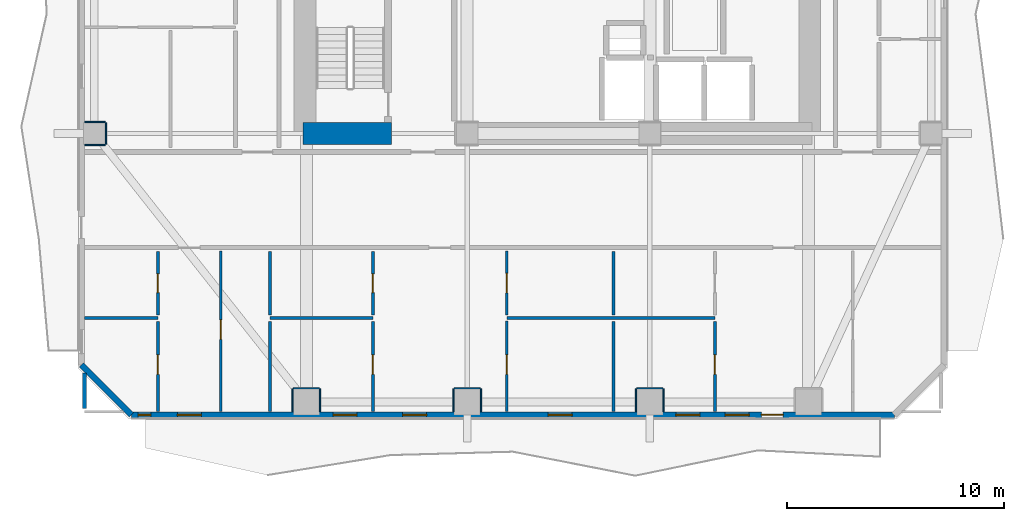
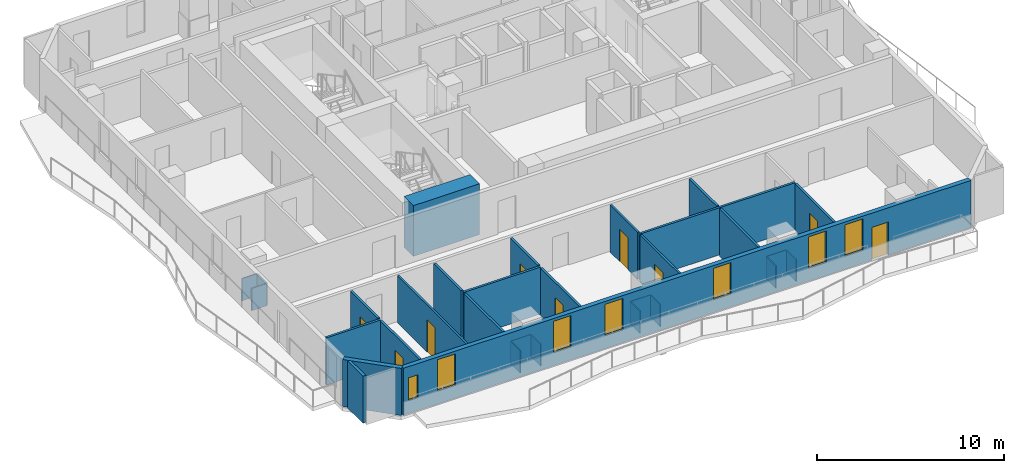
# One storey, part 2 of 11: 31 walls, 9 doors, 7 windows, 16 openings.
"""IFC4 building model written with IfcOpenShell, lengths in metres."""

from ifc_helpers import new_model, si_unit, direction, frame, frame_2d, origin, place, context, subcontext, project, spatial, rectangle, extrude, material, layer, layer_set, type_object, element, fill, save


model = new_model("IFC4")

# Units and contexts
model_context = context("Model", 3, precision=1e-05, world=origin(), true_north=direction((0.0, 1.0)))
body_context = subcontext(model_context, "Body", "Model", "MODEL_VIEW")
ifc_project = project(units=[si_unit("LENGTHUNIT", "METRE"), si_unit("AREAUNIT", "SQUARE_METRE"), si_unit("VOLUMEUNIT", "CUBIC_METRE"), si_unit("PLANEANGLEUNIT", "RADIAN"), si_unit("MASSUNIT", "GRAM", prefix="KILO")], contexts=[model_context])

# Site, building, storey
site_placement = place(None, origin())
site = spatial("IfcSite", under=ifc_project, at=site_placement, CompositionType="ELEMENT")
building_placement = place(site_placement, origin())
building = spatial("IfcBuilding", under=site, at=building_placement, Name="Solanera Arch Residences", CompositionType="ELEMENT")
storey_placement = place(building_placement, frame((0.0, 0.0, 116.0400390625)))
storey = spatial("IfcBuildingStorey", under=building, at=storey_placement, Name="L33", CompositionType="ELEMENT", Elevation=116.0400390625)

# Walls
ifc_material_1 = material(Name="Fire-Rated Gypsum Stud Partition", Category="gypsum")
ifc_layer_1 = layer(ifc_material_1, 0.06005859375)
ifc_layer_set_1 = layer_set([ifc_layer_1], Name="Fire-Rated Gypsum Stud Partition")
wall_type_1 = type_object("IfcWallType", Name="Column Acoustic Furring Wall 60", PredefinedType="PARTITIONING", material=ifc_layer_set_1)
wall_1_placement = place(storey_placement, frame((12.800048828125, 10.281982421875, 0.0), z_axis=(0.0, 0.0, 1.0), x_axis=(1.0, 0.0, 0.0)))
element("IfcWall", 1, at=wall_1_placement, inside=storey, type_object=wall_type_1, Name="L33 Column Furring 9N", PredefinedType="PARTITIONING", context=body_context, shape_type="SweptSolid", body=[
    extrude(rectangle(XDim=1.199951171875, YDim=0.06005859375, at=frame_2d((0.60009765625, 0.0))), origin(), (0.0, 0.0, 1.0), 1.449951171875),
])
for number, where, z_axis, x_axis, name in (
    (2, (12.76806640625, 9.2099609375, 0.0), (0.0, 0.0, 1.0), (0.0, 1.0, 0.0), "L33 Column Furring 9W"),
    (3, (14.031982421875, 9.2099609375, 0.0), (0.0, 0.0, 1.0), (0.0, 1.0, 0.0), "L33 Column Furring 9E"),
):
    element("IfcWall", number, at=place(storey_placement, frame(where, z_axis=z_axis, x_axis=x_axis)), inside=storey, type_object=wall_type_1, Name=name, PredefinedType="PARTITIONING", context=body_context, shape_type="SweptSolid", body=[
        extrude(rectangle(XDim=1.0400390625, YDim=0.06005859375, at=frame_2d((0.52001953125, 0.0))), origin(), (0.0, 0.0, 1.0), 1.449951171875),
    ])
wall_2_placement = place(storey_placement, frame((20.199951171875, 10.281982421875, 0.0), z_axis=(0.0, 0.0, 1.0), x_axis=(1.0, 0.0, 0.0)))
element("IfcWall", 4, at=wall_2_placement, inside=storey, type_object=wall_type_1, Name="L33 Column Furring 11N", PredefinedType="PARTITIONING", context=body_context, shape_type="SweptSolid", body=[
    extrude(rectangle(XDim=1.199951171875, YDim=0.06005859375, at=frame_2d((0.60009765625, 0.0))), origin(), (0.0, 0.0, 1.0), 1.449951171875),
])
for number, where, z_axis, x_axis, name in (
    (5, (20.16796875, 9.2099609375, 0.0), (0.0, 0.0, 1.0), (0.0, 1.0, 0.0), "L33 Column Furring 11W"),
    (6, (21.431884765625, 9.2099609375, 0.0), (0.0, 0.0, 1.0), (0.0, 1.0, 0.0), "L33 Column Furring 11E"),
):
    element("IfcWall", number, at=place(storey_placement, frame(where, z_axis=z_axis, x_axis=x_axis)), inside=storey, type_object=wall_type_1, Name=name, PredefinedType="PARTITIONING", context=body_context, shape_type="SweptSolid", body=[
        extrude(rectangle(XDim=1.0400390625, YDim=0.06005859375, at=frame_2d((0.52001953125, 0.0))), origin(), (0.0, 0.0, 1.0), 1.449951171875),
    ])
wall_3_placement = place(storey_placement, frame((28.60009765625, 10.281982421875, 0.0), z_axis=(0.0, 0.0, 1.0), x_axis=(1.0, 0.0, 0.0)))
element("IfcWall", 7, at=wall_3_placement, inside=storey, type_object=wall_type_1, Name="L33 Column Furring 13N", PredefinedType="PARTITIONING", context=body_context, shape_type="SweptSolid", body=[
    extrude(rectangle(XDim=1.199951171875, YDim=0.06005859375, at=frame_2d((0.60009765625, 0.0))), origin(), (0.0, 0.0, 1.0), 1.449951171875),
])
for number, where, z_axis, x_axis, name in (
    (8, (28.568115234375, 9.2099609375, 0.0), (0.0, 0.0, 1.0), (0.0, 1.0, 0.0), "L33 Column Furring 13W"),
    (9, (29.83203125, 9.2099609375, 0.0), (0.0, 0.0, 1.0), (0.0, 1.0, 0.0), "L33 Column Furring 13E"),
):
    element("IfcWall", number, at=place(storey_placement, frame(where, z_axis=z_axis, x_axis=x_axis)), inside=storey, type_object=wall_type_1, Name=name, PredefinedType="PARTITIONING", context=body_context, shape_type="SweptSolid", body=[
        extrude(rectangle(XDim=1.0400390625, YDim=0.06005859375, at=frame_2d((0.52001953125, 0.0))), origin(), (0.0, 0.0, 1.0), 1.449951171875),
    ])
for number, where, z_axis, x_axis, name in (
    (10, (3.2099609375, 21.468017578125, 0.0), (0.0, 0.0, 1.0), (1.0, 0.0, 0.0), "L33 Column Furring 17S"),
    (11, (3.2099609375, 22.531982421875, 0.0), (0.0, 0.0, 1.0), (1.0, 0.0, 0.0), "L33 Column Furring 17N"),
):
    element("IfcWall", number, at=place(storey_placement, frame(where, z_axis=z_axis, x_axis=x_axis)), inside=storey, type_object=wall_type_1, Name=name, PredefinedType="PARTITIONING", context=body_context, shape_type="SweptSolid", body=[
        extrude(rectangle(XDim=0.93994140625, YDim=0.06005859375, at=frame_2d((0.469970703125, 0.0))), origin(), (0.0, 0.0, 1.0), 1.449951171875),
    ])
wall_4_placement = place(storey_placement, frame((4.181884765625, 21.5, 0.0), z_axis=(0.0, 0.0, 1.0), x_axis=(0.0, 1.0, 0.0)))
element("IfcWall", 12, at=wall_4_placement, inside=storey, type_object=wall_type_1, Name="L33 Column Furring 17E", PredefinedType="PARTITIONING", context=body_context, shape_type="SweptSolid", body=[
    extrude(rectangle(XDim=1.0, YDim=0.06005859375, at=frame_2d((0.5, 0.0))), origin(), (0.0, 0.0, 1.0), 1.449951171875),
])
ifc_material_2 = material(Name="Concrete C55/67 (f'c = 60 MPa)", Category="concrete")
ifc_layer_2 = layer(ifc_material_2, 1.0)
ifc_layer_set_2 = layer_set([ifc_layer_2], Name="Concrete C55/67 (f'c = 60 MPa)")
wall_type_2 = type_object("IfcWallType", Name="Core Shear Wall CW-1000", PredefinedType="SHEAR", material=ifc_layer_set_2)
wall_5_placement = place(storey_placement, frame((13.239990234375, 22.0, 0.0), z_axis=(0.0, 0.0, 1.0), x_axis=(1.0, 0.0, 0.0)))
element("IfcWall", 13, at=wall_5_placement, inside=storey, type_object=wall_type_2, Name="L33 South-West Core Shear Wall", PredefinedType="SHEAR", context=body_context, shape_type="SweptSolid", body=[
    extrude(rectangle(XDim=4.080078125, YDim=1.0, at=frame_2d((2.0400390625, 0.0))), origin(), (0.0, 0.0, 1.0), 3.320068359375),
])
ifc_material_3 = material(Name="Autoclaved Aerated Concrete Blockwork", Category="masonry")
ifc_layer_3 = layer(ifc_material_3, 0.179931640625)
ifc_layer_set_3 = layer_set([ifc_layer_3], Name="Autoclaved Aerated Concrete Blockwork")
wall_type_3 = type_object("IfcWallType", Name="Corridor Fire Partition 180", PredefinedType="PARTITIONING", material=ifc_layer_set_3)
wall_6_placement = place(storey_placement, frame((3.199951171875, 9.35791015625, 0.0), z_axis=(0.0, 0.0, 1.0), x_axis=(0.0, 1.0, 0.0)))
element("IfcWall", 14, at=wall_6_placement, inside=storey, type_object=wall_type_3, Name="L33 Interior Partition V7 1", PredefinedType="PARTITIONING", context=body_context, shape_type="SweptSolid", body=[
    extrude(rectangle(XDim=1.63720703125, YDim=0.179931640625, at=frame_2d((0.818603515625, 0.0))), origin(), (0.0, 0.0, 1.0), 3.080078125),
])

# Wall, openings, door, windows
ifc_material_4 = material(Name="Precast Concrete C35/45", Category="concrete")
ifc_layer_4 = layer(ifc_material_4, 0.280029296875)
ifc_layer_set_4 = layer_set([ifc_layer_4], Name="Precast Concrete C35/45")
wall_type_4 = type_object("IfcWallType", Name="Exterior Wall Precast Masonry-Frame 280", PredefinedType="STANDARD", material=ifc_layer_set_4)
wall_7_placement = place(storey_placement, frame((40.445068359375, 9.054931640625, 0.0), z_axis=(0.0, 0.0, 1.0), x_axis=(-1.0, 0.0, 0.0)))
wall_7 = element("IfcWall", 15, at=wall_7_placement, inside=storey, type_object=wall_type_4, Name="L33 Tower Exterior Precast Masonry-Frame Wall S", PredefinedType="STANDARD", context=body_context, shape_type="SweptSolid", body=[
    extrude(rectangle(XDim=35.090087890625, YDim=0.280029296875, at=frame_2d((17.544921875, 0.0))), origin(), (0.0, 0.0, 1.0), 3.080078125),
])
opening_1_placement = place(wall_7_placement, frame((5.114013671875, 0.0, 0.0)))
opening_1 = element("IfcOpeningElement", 16, at=opening_1_placement, cuts=wall_7, Name="Opening DB-01", PredefinedType="OPENING", context=body_context, shape_type="SweptSolid", body=[
    extrude(rectangle(XDim=1.0, YDim=2.14990234375, at=frame_2d((0.5, 1.074951171875))), frame((0.0, 0.14990234375, 0.0), z_axis=(0.0, -1.0, 0.0), x_axis=(1.0, 0.0, 0.0)), (0.0, 0.0, 1.0), 0.3),
])
opening_2_placement = place(wall_7_placement, frame((31.876953125, 0.0, 0.85009765625)))
opening_2 = element("IfcOpeningElement", 17, at=opening_2_placement, cuts=wall_7, Name="Opening W-11", PredefinedType="OPENING", context=body_context, shape_type="SweptSolid", body=[
    extrude(rectangle(XDim=1.10009765625, YDim=2.050048828125, at=frame_2d((0.550048828125, 1.02490234375))), frame((0.0, 0.14990234375, 0.0), z_axis=(0.0, -1.0, 0.0), x_axis=(1.0, 0.0, 0.0)), (0.0, 0.0, 1.0), 0.3),
])
opening_3_placement = place(wall_7_placement, frame((34.197998046875, 0.0, 0.85009765625)))
opening_3 = element("IfcOpeningElement", 18, at=opening_3_placement, cuts=wall_7, Name="Opening W-14", PredefinedType="OPENING", context=body_context, shape_type="SweptSolid", body=[
    extrude(rectangle(XDim=0.580078125, YDim=1.5, at=frame_2d((0.2900390625, 0.75))), frame((0.0, 0.14990234375, 0.0), z_axis=(0.0, -1.0, 0.0), x_axis=(1.0, 0.0, 0.0)), (0.0, 0.0, 1.0), 0.3),
])
opening_4_placement = place(wall_7_placement, frame((21.514892578125, 0.0, 0.85009765625)))
opening_4 = element("IfcOpeningElement", 19, at=opening_4_placement, cuts=wall_7, Name="Opening W-11", PredefinedType="OPENING", context=body_context, shape_type="SweptSolid", body=[
    extrude(rectangle(XDim=1.10009765625, YDim=2.050048828125, at=frame_2d((0.550048828125, 1.02490234375))), frame((0.0, 0.14990234375, 0.0), z_axis=(0.0, -1.0, 0.0), x_axis=(1.0, 0.0, 0.0)), (0.0, 0.0, 1.0), 0.3),
])
opening_5_placement = place(wall_7_placement, frame((24.715087890625, 0.0, 0.85009765625)))
opening_5 = element("IfcOpeningElement", 20, at=opening_5_placement, cuts=wall_7, Name="Opening W-11", PredefinedType="OPENING", context=body_context, shape_type="SweptSolid", body=[
    extrude(rectangle(XDim=1.10009765625, YDim=2.050048828125, at=frame_2d((0.550048828125, 1.02490234375))), frame((0.0, 0.14990234375, 0.0), z_axis=(0.0, -1.0, 0.0), x_axis=(1.0, 0.0, 0.0)), (0.0, 0.0, 1.0), 0.3),
])
opening_6_placement = place(wall_7_placement, frame((14.823974609375, 0.0, 0.85009765625)))
opening_6 = element("IfcOpeningElement", 21, at=opening_6_placement, cuts=wall_7, Name="Opening W-11", PredefinedType="OPENING", context=body_context, shape_type="SweptSolid", body=[
    extrude(rectangle(XDim=1.10009765625, YDim=2.050048828125, at=frame_2d((0.550048828125, 1.02490234375))), frame((0.0, 0.14990234375, 0.0), z_axis=(0.0, -1.0, 0.0), x_axis=(1.0, 0.0, 0.0)), (0.0, 0.0, 1.0), 0.3),
])
opening_7_placement = place(wall_7_placement, frame((6.681884765625, 0.0, 0.85009765625)))
opening_7 = element("IfcOpeningElement", 22, at=opening_7_placement, cuts=wall_7, Name="Opening W-11", PredefinedType="OPENING", context=body_context, shape_type="SweptSolid", body=[
    extrude(rectangle(XDim=1.10009765625, YDim=2.050048828125, at=frame_2d((0.550048828125, 1.02490234375))), frame((0.0, 0.14990234375, 0.0), z_axis=(0.0, -1.0, 0.0), x_axis=(1.0, 0.0, 0.0)), (0.0, 0.0, 1.0), 0.3),
])
opening_8_placement = place(wall_7_placement, frame((8.947998046875, 0.0, 0.85009765625)))
opening_8 = element("IfcOpeningElement", 23, at=opening_8_placement, cuts=wall_7, Name="Opening W-11", PredefinedType="OPENING", context=body_context, shape_type="SweptSolid", body=[
    extrude(rectangle(XDim=1.10009765625, YDim=2.050048828125, at=frame_2d((0.550048828125, 1.02490234375))), frame((0.0, 0.14990234375, 0.0), z_axis=(0.0, -1.0, 0.0), x_axis=(1.0, 0.0, 0.0)), (0.0, 0.0, 1.0), 0.3),
])
ifc_material_5 = material(Name="Anodised Aluminium Alloy 6063-T6", Category="aluminium")
door_type_1 = type_object("IfcDoorType", Name="Glazed Balcony Swing Door DB-01", OperationType="NOTDEFINED", PredefinedType="DOOR", material=ifc_material_5)
door_1_placement = place(opening_1_placement, origin())
door_1 = element("IfcDoor", 24, at=door_1_placement, inside=storey, type_object=door_type_1, Name="DR-L33-OUT-01", OperationType="SINGLE_SWING_LEFT", OverallHeight=2.14990234375, OverallWidth=1.0, PredefinedType="DOOR", context=body_context, shape_type="SweptSolid", body=[
    extrude(rectangle(XDim=1.0, YDim=2.14990234375, at=frame_2d((0.5, 1.074951171875))), frame((0.0, 0.02490234375, 0.0), z_axis=(0.0, -1.0, 0.0), x_axis=(1.0, 0.0, 0.0)), (0.0, 0.0, 1.0), 0.050048828125),
])
fill(opening_1, door_1)
ifc_material_6 = material(Name="Double Glazed Low-E Laminated Glass", Category="glass")
window_type_1 = type_object("IfcWindowType", Name="Punched Window W-11", PartitioningType="SINGLE_PANEL", PredefinedType="WINDOW", material=ifc_material_6)
window_1_placement = place(opening_2_placement, origin())
window_1 = element("IfcWindow", 25, at=window_1_placement, inside=storey, type_object=window_type_1, Name="L33 3301-LIV Punched Window", OverallHeight=2.050048828125, OverallWidth=1.10009765625, PartitioningType="SINGLE_PANEL", PredefinedType="WINDOW", context=body_context, shape_type="SweptSolid", body=[
    extrude(rectangle(XDim=1.10009765625, YDim=2.050048828125, at=frame_2d((0.550048828125, 1.02490234375))), frame((0.0, 0.030029296875, 0.0), z_axis=(0.0, -1.0, 0.0), x_axis=(1.0, 0.0, 0.0)), (0.0, 0.0, 1.0), 0.06005859375),
])
fill(opening_2, window_1)
window_2_placement = place(opening_4_placement, origin())
window_2 = element("IfcWindow", 26, at=window_2_placement, inside=storey, type_object=window_type_1, Name="L33 3302-LIV Punched Window", OverallHeight=2.050048828125, OverallWidth=1.10009765625, PartitioningType="SINGLE_PANEL", PredefinedType="WINDOW", context=body_context, shape_type="SweptSolid", body=[
    extrude(rectangle(XDim=1.10009765625, YDim=2.050048828125, at=frame_2d((0.550048828125, 1.02490234375))), frame((0.0, 0.030029296875, 0.0), z_axis=(0.0, -1.0, 0.0), x_axis=(1.0, 0.0, 0.0)), (0.0, 0.0, 1.0), 0.06005859375),
])
fill(opening_4, window_2)
window_3_placement = place(opening_5_placement, origin())
window_3 = element("IfcWindow", 27, at=window_3_placement, inside=storey, type_object=window_type_1, Name="L33 3302-BR1 Punched Window", OverallHeight=2.050048828125, OverallWidth=1.10009765625, PartitioningType="SINGLE_PANEL", PredefinedType="WINDOW", context=body_context, shape_type="SweptSolid", body=[
    extrude(rectangle(XDim=1.10009765625, YDim=2.050048828125, at=frame_2d((0.550048828125, 1.02490234375))), frame((0.0, 0.030029296875, 0.0), z_axis=(0.0, -1.0, 0.0), x_axis=(1.0, 0.0, 0.0)), (0.0, 0.0, 1.0), 0.06005859375),
])
fill(opening_5, window_3)
window_4_placement = place(opening_6_placement, origin())
window_4 = element("IfcWindow", 28, at=window_4_placement, inside=storey, type_object=window_type_1, Name="L33 3302-BR2 Punched Window", OverallHeight=2.050048828125, OverallWidth=1.10009765625, PartitioningType="SINGLE_PANEL", PredefinedType="WINDOW", context=body_context, shape_type="SweptSolid", body=[
    extrude(rectangle(XDim=1.10009765625, YDim=2.050048828125, at=frame_2d((0.550048828125, 1.02490234375))), frame((0.0, 0.030029296875, 0.0), z_axis=(0.0, -1.0, 0.0), x_axis=(1.0, 0.0, 0.0)), (0.0, 0.0, 1.0), 0.06005859375),
])
fill(opening_6, window_4)
window_5_placement = place(opening_7_placement, origin())
window_5 = element("IfcWindow", 29, at=window_5_placement, inside=storey, type_object=window_type_1, Name="L33 3303-LIV Punched Window", OverallHeight=2.050048828125, OverallWidth=1.10009765625, PartitioningType="SINGLE_PANEL", PredefinedType="WINDOW", context=body_context, shape_type="SweptSolid", body=[
    extrude(rectangle(XDim=1.10009765625, YDim=2.050048828125, at=frame_2d((0.550048828125, 1.02490234375))), frame((0.0, 0.030029296875, 0.0), z_axis=(0.0, -1.0, 0.0), x_axis=(1.0, 0.0, 0.0)), (0.0, 0.0, 1.0), 0.06005859375),
])
fill(opening_7, window_5)
window_6_placement = place(opening_8_placement, origin())
window_6 = element("IfcWindow", 30, at=window_6_placement, inside=storey, type_object=window_type_1, Name="L33 3303-BR1 Punched Window", OverallHeight=2.050048828125, OverallWidth=1.10009765625, PartitioningType="SINGLE_PANEL", PredefinedType="WINDOW", context=body_context, shape_type="SweptSolid", body=[
    extrude(rectangle(XDim=1.10009765625, YDim=2.050048828125, at=frame_2d((0.550048828125, 1.02490234375))), frame((0.0, 0.030029296875, 0.0), z_axis=(0.0, -1.0, 0.0), x_axis=(1.0, 0.0, 0.0)), (0.0, 0.0, 1.0), 0.06005859375),
])
fill(opening_8, window_6)
ifc_material_7 = material(Name="Double Glazed Low-E Laminated Glass", Category="glass")
window_type_2 = type_object("IfcWindowType", Name="Punched Window W-14", PartitioningType="SINGLE_PANEL", PredefinedType="WINDOW", material=ifc_material_7)
window_7_placement = place(opening_3_placement, origin())
window_7 = element("IfcWindow", 31, at=window_7_placement, inside=storey, type_object=window_type_2, Name="L33 3301-BR1 Punched Window", OverallHeight=1.5, OverallWidth=0.580078125, PartitioningType="SINGLE_PANEL", PredefinedType="WINDOW", context=body_context, shape_type="SweptSolid", body=[
    extrude(rectangle(XDim=0.580078125, YDim=1.5, at=frame_2d((0.2900390625, 0.75))), frame((0.0, 0.030029296875, 0.0), z_axis=(0.0, -1.0, 0.0), x_axis=(1.0, 0.0, 0.0)), (0.0, 0.0, 1.0), 0.06005859375),
])
fill(opening_3, window_7)

# Wall
wall_8_placement = place(storey_placement, frame((5.35498046875, 9.054931640625, 0.0), z_axis=(0.0, 0.0, 1.0), x_axis=(-0.707106781187, 0.707106781187, 0.0)))
element("IfcWall", 32, at=wall_8_placement, inside=storey, type_object=wall_type_4, Name="L33 Tower Exterior Precast Masonry-Frame Wall CH7", PredefinedType="STANDARD", context=body_context, shape_type="SweptSolid", body=[
    extrude(rectangle(XDim=3.252685546875, YDim=0.280029296875, at=frame_2d((1.62646484375, 0.0))), origin(), (0.0, 0.0, 1.0), 3.080078125),
])

# Wall, opening, door
ifc_material_8 = material(Name="Fire-Rated Gypsum Stud Partition", Category="gypsum")
ifc_layer_5 = layer(ifc_material_8, 0.1201171875)
ifc_layer_set_5 = layer_set([ifc_layer_5], Name="Fire-Rated Gypsum Stud Partition")
wall_type_5 = type_object("IfcWallType", Name="Unit Drywall Partition 120", PredefinedType="PARTITIONING", material=ifc_layer_set_5)
wall_9_placement = place(storey_placement, frame((9.467041015625, 9.20703125, 0.0), z_axis=(0.0, 0.0, 1.0), x_axis=(0.0, 1.0, 0.0)))
wall_9 = element("IfcWall", 33, at=wall_9_placement, inside=storey, type_object=wall_type_5, Name="L33 Interior Partition V25", PredefinedType="PARTITIONING", context=body_context, shape_type="SweptSolid", body=[
    extrude(rectangle(XDim=7.385009765625, YDim=0.1201171875, at=frame_2d((3.6923828125, 0.0))), origin(), (0.0, 0.0, 1.0), 3.080078125),
])
opening_9_placement = place(wall_9_placement, frame((3.318115234375, 0.0, 0.0)))
opening_9 = element("IfcOpeningElement", 34, at=opening_9_placement, cuts=wall_9, Name="Opening DI-02", PredefinedType="OPENING", context=body_context, shape_type="SweptSolid", body=[
    extrude(rectangle(XDim=0.89990234375, YDim=2.10009765625, at=frame_2d((0.449951171875, 1.050048828125))), frame((0.0, 0.070068359375, 0.0), z_axis=(0.0, -1.0, 0.0), x_axis=(1.0, 0.0, 0.0)), (0.0, 0.0, 1.0), 0.1401),
])
ifc_material_9 = material(Name="Fire-Rated Architectural Hardwood", Category="wood")
door_type_2 = type_object("IfcDoorType", Name="Suite Room Swing Door DI-02", OperationType="NOTDEFINED", PredefinedType="DOOR", material=ifc_material_9)
door_2_placement = place(opening_9_placement, origin())
door_2 = element("IfcDoor", 35, at=door_2_placement, inside=storey, type_object=door_type_2, Name="DR-L33-IN-019", OperationType="SINGLE_SWING_LEFT", OverallHeight=2.10009765625, OverallWidth=0.89990234375, PredefinedType="DOOR", context=body_context, shape_type="SweptSolid", body=[
    extrude(rectangle(XDim=0.89990234375, YDim=2.10009765625, at=frame_2d((0.449951171875, 1.050048828125))), frame((0.0, 0.02490234375, 0.0), z_axis=(0.0, -1.0, 0.0), x_axis=(1.0, 0.0, 0.0)), (0.0, 0.0, 1.0), 0.050048828125),
])
fill(opening_9, door_2)

wall_10_placement = place(storey_placement, frame((22.6220703125, 9.20703125, 0.0), z_axis=(0.0, 0.0, 1.0), x_axis=(0.0, 1.0, 0.0)))
wall_10 = element("IfcWall", 36, at=wall_10_placement, inside=storey, type_object=wall_type_5, Name="L33 Interior Partition V27 1", PredefinedType="PARTITIONING", context=body_context, shape_type="SweptSolid", body=[
    extrude(rectangle(XDim=4.158935546875, YDim=0.1201171875, at=frame_2d((2.07958984375, 0.0))), origin(), (0.0, 0.0, 1.0), 3.080078125),
])
opening_10_placement = place(wall_10_placement, frame((1.7080078125, 0.0, 0.0)))
opening_10 = element("IfcOpeningElement", 37, at=opening_10_placement, cuts=wall_10, Name="Opening DI-03", PredefinedType="OPENING", context=body_context, shape_type="SweptSolid", body=[
    extrude(rectangle(XDim=0.89990234375, YDim=2.10009765625, at=frame_2d((0.449951171875, 1.050048828125))), frame((0.0, 0.070068359375, 0.0), z_axis=(0.0, -1.0, 0.0), x_axis=(1.0, 0.0, 0.0)), (0.0, 0.0, 1.0), 0.1401),
])
ifc_material_10 = material(Name="Fire-Rated Architectural Hardwood", Category="wood")
door_type_3 = type_object("IfcDoorType", Name="Bedroom Swing Door DI-03", OperationType="NOTDEFINED", PredefinedType="DOOR", material=ifc_material_10)
door_3_placement = place(opening_10_placement, origin())
door_3 = element("IfcDoor", 38, at=door_3_placement, inside=storey, type_object=door_type_3, Name="DR-L33-IN-024", OperationType="SINGLE_SWING_RIGHT", OverallHeight=2.10009765625, OverallWidth=0.89990234375, PredefinedType="DOOR", context=body_context, shape_type="SweptSolid", body=[
    extrude(rectangle(XDim=0.89990234375, YDim=2.10009765625, at=frame_2d((0.449951171875, 1.050048828125))), frame((0.0, 0.02490234375, 0.0), z_axis=(0.0, -1.0, 0.0), x_axis=(1.0, 0.0, 0.0)), (0.0, 0.0, 1.0), 0.050048828125),
])
fill(opening_10, door_3)

wall_11_placement = place(storey_placement, frame((22.6220703125, 13.64208984375, 0.0), z_axis=(0.0, 0.0, 1.0), x_axis=(0.0, 1.0, 0.0)))
wall_11 = element("IfcWall", 39, at=wall_11_placement, inside=storey, type_object=wall_type_5, Name="L33 Interior Partition V27 2", PredefinedType="PARTITIONING", context=body_context, shape_type="SweptSolid", body=[
    extrude(rectangle(XDim=2.949951171875, YDim=0.1201171875, at=frame_2d((1.47509765625, 0.0))), origin(), (0.0, 0.0, 1.0), 3.080078125),
])
opening_11_placement = place(wall_11_placement, frame((1.02197265625, 0.0, 0.0)))
opening_11 = element("IfcOpeningElement", 40, at=opening_11_placement, cuts=wall_11, Name="Opening DI-02", PredefinedType="OPENING", context=body_context, shape_type="SweptSolid", body=[
    extrude(rectangle(XDim=0.89990234375, YDim=2.10009765625, at=frame_2d((0.449951171875, 1.050048828125))), frame((0.0, 0.070068359375, 0.0), z_axis=(0.0, -1.0, 0.0), x_axis=(1.0, 0.0, 0.0)), (0.0, 0.0, 1.0), 0.1401),
])
door_4_placement = place(opening_11_placement, origin())
door_4 = element("IfcDoor", 41, at=door_4_placement, inside=storey, type_object=door_type_2, Name="DR-L33-IN-023", OperationType="SINGLE_SWING_LEFT", OverallHeight=2.10009765625, OverallWidth=0.89990234375, PredefinedType="DOOR", context=body_context, shape_type="SweptSolid", body=[
    extrude(rectangle(XDim=0.89990234375, YDim=2.10009765625, at=frame_2d((0.449951171875, 1.050048828125))), frame((0.0, 0.02490234375, 0.0), z_axis=(0.0, -1.0, 0.0), x_axis=(1.0, 0.0, 0.0)), (0.0, 0.0, 1.0), 0.050048828125),
])
fill(opening_11, door_4)

# Walls
ifc_material_11 = material(Name="Autoclaved Aerated Concrete Blockwork", Category="masonry")
ifc_layer_6 = layer(ifc_material_11, 0.139892578125)
ifc_layer_set_6 = layer_set([ifc_layer_6], Name="Autoclaved Aerated Concrete Blockwork")
wall_type_6 = type_object("IfcWallType", Name="Wet-Room Partition 140", PredefinedType="PARTITIONING", material=ifc_layer_set_6)
wall_12_placement = place(storey_placement, frame((3.20703125, 13.50390625, 0.0), z_axis=(0.0, 0.0, 1.0), x_axis=(1.0, 0.0, 0.0)))
element("IfcWall", 42, at=wall_12_placement, inside=storey, type_object=wall_type_6, Name="L33 Interior Partition H12", PredefinedType="PARTITIONING", context=body_context, shape_type="SweptSolid", body=[
    extrude(rectangle(XDim=3.362060546875, YDim=0.139892578125, at=frame_2d((1.68115234375, 0.0))), origin(), (0.0, 0.0, 1.0), 3.080078125),
])
wall_13_placement = place(storey_placement, frame((11.719970703125, 13.50390625, 0.0), z_axis=(0.0, 0.0, 1.0), x_axis=(1.0, 0.0, 0.0)))
element("IfcWall", 43, at=wall_13_placement, inside=storey, type_object=wall_type_6, Name="L33 Interior Partition H13", PredefinedType="PARTITIONING", context=body_context, shape_type="SweptSolid", body=[
    extrude(rectangle(XDim=4.739990234375, YDim=0.139892578125, at=frame_2d((2.3701171875, 0.0))), origin(), (0.0, 0.0, 1.0), 3.080078125),
])
wall_14_placement = place(storey_placement, frame((22.6220703125, 13.50390625, 0.0), z_axis=(0.0, 0.0, 1.0), x_axis=(1.0, 0.0, 0.0)))
element("IfcWall", 44, at=wall_14_placement, inside=storey, type_object=wall_type_6, Name="L33 Interior Partition H14", PredefinedType="PARTITIONING", context=body_context, shape_type="SweptSolid", body=[
    extrude(rectangle(XDim=9.572998046875, YDim=0.139892578125, at=frame_2d((4.78662109375, 0.0))), origin(), (0.0, 0.0, 1.0), 3.080078125),
])

# Wall, opening, door
wall_15_placement = place(storey_placement, frame((6.569091796875, 9.20703125, 0.0), z_axis=(0.0, 0.0, 1.0), x_axis=(0.0, 1.0, 0.0)))
wall_15 = element("IfcWall", 45, at=wall_15_placement, inside=storey, type_object=wall_type_6, Name="L33 Interior Partition V16 1", PredefinedType="PARTITIONING", context=body_context, shape_type="SweptSolid", body=[
    extrude(rectangle(XDim=4.14892578125, YDim=0.139892578125, at=frame_2d((2.074462890625, 0.0))), origin(), (0.0, 0.0, 1.0), 3.080078125),
])
opening_12_placement = place(wall_15_placement, frame((1.7080078125, 0.0, 0.0)))
opening_12 = element("IfcOpeningElement", 46, at=opening_12_placement, cuts=wall_15, Name="Opening DI-03", PredefinedType="OPENING", context=body_context, shape_type="SweptSolid", body=[
    extrude(rectangle(XDim=0.89990234375, YDim=2.10009765625, at=frame_2d((0.449951171875, 1.050048828125))), frame((0.0, 0.079833984375, 0.0), z_axis=(0.0, -1.0, 0.0), x_axis=(1.0, 0.0, 0.0)), (0.0, 0.0, 1.0), 0.1599),
])
door_5_placement = place(opening_12_placement, origin())
door_5 = element("IfcDoor", 47, at=door_5_placement, inside=storey, type_object=door_type_3, Name="DR-L33-IN-018", OperationType="SINGLE_SWING_RIGHT", OverallHeight=2.10009765625, OverallWidth=0.89990234375, PredefinedType="DOOR", context=body_context, shape_type="SweptSolid", body=[
    extrude(rectangle(XDim=0.89990234375, YDim=2.10009765625, at=frame_2d((0.449951171875, 1.050048828125))), frame((0.0, 0.02490234375, 0.0), z_axis=(0.0, -1.0, 0.0), x_axis=(1.0, 0.0, 0.0)), (0.0, 0.0, 1.0), 0.050048828125),
])
fill(opening_12, door_5)

wall_16_placement = place(storey_placement, frame((6.569091796875, 13.652099609375, 0.0), z_axis=(0.0, 0.0, 1.0), x_axis=(0.0, 1.0, 0.0)))
wall_16 = element("IfcWall", 48, at=wall_16_placement, inside=storey, type_object=wall_type_6, Name="L33 Interior Partition V16 2", PredefinedType="PARTITIONING", context=body_context, shape_type="SweptSolid", body=[
    extrude(rectangle(XDim=2.929931640625, YDim=0.139892578125, at=frame_2d((1.46484375, 0.0))), origin(), (0.0, 0.0, 1.0), 3.080078125),
])
opening_13_placement = place(wall_16_placement, frame((1.031982421875, 0.0, 0.0)))
opening_13 = element("IfcOpeningElement", 49, at=opening_13_placement, cuts=wall_16, Name="Opening DI-05", PredefinedType="OPENING", context=body_context, shape_type="SweptSolid", body=[
    extrude(rectangle(XDim=0.860107421875, YDim=2.02001953125, at=frame_2d((0.43017578125, 1.010009765625))), frame((0.0, 0.079833984375, 0.0), z_axis=(0.0, -1.0, 0.0), x_axis=(1.0, 0.0, 0.0)), (0.0, 0.0, 1.0), 0.1599),
])
ifc_material_12 = material(Name="Fire-Rated Architectural Hardwood", Category="wood")
door_type_4 = type_object("IfcDoorType", Name="Bathroom Swing Door DI-05", OperationType="NOTDEFINED", PredefinedType="DOOR", material=ifc_material_12)
door_6_placement = place(opening_13_placement, origin())
door_6 = element("IfcDoor", 50, at=door_6_placement, inside=storey, type_object=door_type_4, Name="DR-L33-IN-017", OperationType="SINGLE_SWING_LEFT", OverallHeight=2.02001953125, OverallWidth=0.860107421875, PredefinedType="DOOR", context=body_context, shape_type="SweptSolid", body=[
    extrude(rectangle(XDim=0.860107421875, YDim=2.02001953125, at=frame_2d((0.43017578125, 1.010009765625))), frame((0.0, 0.02490234375, 0.0), z_axis=(0.0, -1.0, 0.0), x_axis=(1.0, 0.0, 0.0)), (0.0, 0.0, 1.0), 0.050048828125),
])
fill(opening_13, door_6)

# Walls
wall_17_placement = place(storey_placement, frame((11.719970703125, 9.20703125, 0.0), z_axis=(0.0, 0.0, 1.0), x_axis=(0.0, 1.0, 0.0)))
element("IfcWall", 51, at=wall_17_placement, inside=storey, type_object=wall_type_6, Name="L33 Interior Partition V19 1", PredefinedType="PARTITIONING", context=body_context, shape_type="SweptSolid", body=[
    extrude(rectangle(XDim=4.14892578125, YDim=0.139892578125, at=frame_2d((2.074462890625, 0.0))), origin(), (0.0, 0.0, 1.0), 3.080078125),
])
wall_18_placement = place(storey_placement, frame((11.719970703125, 13.652099609375, 0.0), z_axis=(0.0, 0.0, 1.0), x_axis=(0.0, 1.0, 0.0)))
element("IfcWall", 52, at=wall_18_placement, inside=storey, type_object=wall_type_6, Name="L33 Interior Partition V19 2", PredefinedType="PARTITIONING", context=body_context, shape_type="SweptSolid", body=[
    extrude(rectangle(XDim=2.929931640625, YDim=0.139892578125, at=frame_2d((1.46484375, 0.0))), origin(), (0.0, 0.0, 1.0), 3.080078125),
])

# Wall, opening, door
wall_19_placement = place(storey_placement, frame((16.4599609375, 9.20703125, 0.0), z_axis=(0.0, 0.0, 1.0), x_axis=(0.0, 1.0, 0.0)))
wall_19 = element("IfcWall", 53, at=wall_19_placement, inside=storey, type_object=wall_type_6, Name="L33 Interior Partition V20 1", PredefinedType="PARTITIONING", context=body_context, shape_type="SweptSolid", body=[
    extrude(rectangle(XDim=4.14892578125, YDim=0.139892578125, at=frame_2d((2.074462890625, 0.0))), origin(), (0.0, 0.0, 1.0), 3.080078125),
])
opening_14_placement = place(wall_19_placement, frame((1.7080078125, 0.0, 0.0)))
opening_14 = element("IfcOpeningElement", 54, at=opening_14_placement, cuts=wall_19, Name="Opening DI-03", PredefinedType="OPENING", context=body_context, shape_type="SweptSolid", body=[
    extrude(rectangle(XDim=0.89990234375, YDim=2.10009765625, at=frame_2d((0.449951171875, 1.050048828125))), frame((0.0, 0.079833984375, 0.0), z_axis=(0.0, -1.0, 0.0), x_axis=(1.0, 0.0, 0.0)), (0.0, 0.0, 1.0), 0.1599),
])
door_7_placement = place(opening_14_placement, origin())
door_7 = element("IfcDoor", 55, at=door_7_placement, inside=storey, type_object=door_type_3, Name="DR-L33-IN-022", OperationType="SINGLE_SWING_RIGHT", OverallHeight=2.10009765625, OverallWidth=0.89990234375, PredefinedType="DOOR", context=body_context, shape_type="SweptSolid", body=[
    extrude(rectangle(XDim=0.89990234375, YDim=2.10009765625, at=frame_2d((0.449951171875, 1.050048828125))), frame((0.0, 0.02490234375, 0.0), z_axis=(0.0, -1.0, 0.0), x_axis=(1.0, 0.0, 0.0)), (0.0, 0.0, 1.0), 0.050048828125),
])
fill(opening_14, door_7)

wall_20_placement = place(storey_placement, frame((16.4599609375, 13.652099609375, 0.0), z_axis=(0.0, 0.0, 1.0), x_axis=(0.0, 1.0, 0.0)))
wall_20 = element("IfcWall", 56, at=wall_20_placement, inside=storey, type_object=wall_type_6, Name="L33 Interior Partition V20 2", PredefinedType="PARTITIONING", context=body_context, shape_type="SweptSolid", body=[
    extrude(rectangle(XDim=2.929931640625, YDim=0.139892578125, at=frame_2d((1.46484375, 0.0))), origin(), (0.0, 0.0, 1.0), 3.080078125),
])
opening_15_placement = place(wall_20_placement, frame((1.031982421875, 0.0, 0.0)))
opening_15 = element("IfcOpeningElement", 57, at=opening_15_placement, cuts=wall_20, Name="Opening DI-05", PredefinedType="OPENING", context=body_context, shape_type="SweptSolid", body=[
    extrude(rectangle(XDim=0.860107421875, YDim=2.02001953125, at=frame_2d((0.43017578125, 1.010009765625))), frame((0.0, 0.079833984375, 0.0), z_axis=(0.0, -1.0, 0.0), x_axis=(1.0, 0.0, 0.0)), (0.0, 0.0, 1.0), 0.1599),
])
door_8_placement = place(opening_15_placement, origin())
door_8 = element("IfcDoor", 58, at=door_8_placement, inside=storey, type_object=door_type_4, Name="DR-L33-IN-021", OperationType="SINGLE_SWING_LEFT", OverallHeight=2.02001953125, OverallWidth=0.860107421875, PredefinedType="DOOR", context=body_context, shape_type="SweptSolid", body=[
    extrude(rectangle(XDim=0.860107421875, YDim=2.02001953125, at=frame_2d((0.43017578125, 1.010009765625))), frame((0.0, 0.02490234375, 0.0), z_axis=(0.0, -1.0, 0.0), x_axis=(1.0, 0.0, 0.0)), (0.0, 0.0, 1.0), 0.050048828125),
])
fill(opening_15, door_8)

# Walls
wall_21_placement = place(storey_placement, frame((27.52001953125, 9.20703125, 0.0), z_axis=(0.0, 0.0, 1.0), x_axis=(0.0, 1.0, 0.0)))
element("IfcWall", 59, at=wall_21_placement, inside=storey, type_object=wall_type_6, Name="L33 Interior Partition V22 1", PredefinedType="PARTITIONING", context=body_context, shape_type="SweptSolid", body=[
    extrude(rectangle(XDim=4.14892578125, YDim=0.139892578125, at=frame_2d((2.074462890625, 0.0))), origin(), (0.0, 0.0, 1.0), 3.080078125),
])
wall_22_placement = place(storey_placement, frame((27.52001953125, 13.652099609375, 0.0), z_axis=(0.0, 0.0, 1.0), x_axis=(0.0, 1.0, 0.0)))
element("IfcWall", 60, at=wall_22_placement, inside=storey, type_object=wall_type_6, Name="L33 Interior Partition V22 2", PredefinedType="PARTITIONING", context=body_context, shape_type="SweptSolid", body=[
    extrude(rectangle(XDim=2.929931640625, YDim=0.139892578125, at=frame_2d((1.46484375, 0.0))), origin(), (0.0, 0.0, 1.0), 3.080078125),
])

# Wall, opening, door
wall_23_placement = place(storey_placement, frame((32.195068359375, 9.20703125, 0.0), z_axis=(0.0, 0.0, 1.0), x_axis=(0.0, 1.0, 0.0)))
wall_23 = element("IfcWall", 61, at=wall_23_placement, inside=storey, type_object=wall_type_6, Name="L33 Interior Partition V24 1", PredefinedType="PARTITIONING", context=body_context, shape_type="SweptSolid", body=[
    extrude(rectangle(XDim=4.14892578125, YDim=0.139892578125, at=frame_2d((2.074462890625, 0.0))), origin(), (0.0, 0.0, 1.0), 3.080078125),
])
opening_16_placement = place(wall_23_placement, frame((1.7080078125, 0.0, 0.0)))
opening_16 = element("IfcOpeningElement", 62, at=opening_16_placement, cuts=wall_23, Name="Opening DI-03", PredefinedType="OPENING", context=body_context, shape_type="SweptSolid", body=[
    extrude(rectangle(XDim=0.89990234375, YDim=2.10009765625, at=frame_2d((0.449951171875, 1.050048828125))), frame((0.0, 0.079833984375, 0.0), z_axis=(0.0, -1.0, 0.0), x_axis=(1.0, 0.0, 0.0)), (0.0, 0.0, 1.0), 0.1599),
])
door_9_placement = place(opening_16_placement, origin())
door_9 = element("IfcDoor", 63, at=door_9_placement, inside=storey, type_object=door_type_3, Name="DR-L33-IN-027", OperationType="SINGLE_SWING_LEFT", OverallHeight=2.10009765625, OverallWidth=0.89990234375, PredefinedType="DOOR", context=body_context, shape_type="SweptSolid", body=[
    extrude(rectangle(XDim=0.89990234375, YDim=2.10009765625, at=frame_2d((0.449951171875, 1.050048828125))), frame((0.0, 0.02490234375, 0.0), z_axis=(0.0, -1.0, 0.0), x_axis=(1.0, 0.0, 0.0)), (0.0, 0.0, 1.0), 0.050048828125),
])
fill(opening_16, door_9)

save(model, "model.ifc")
